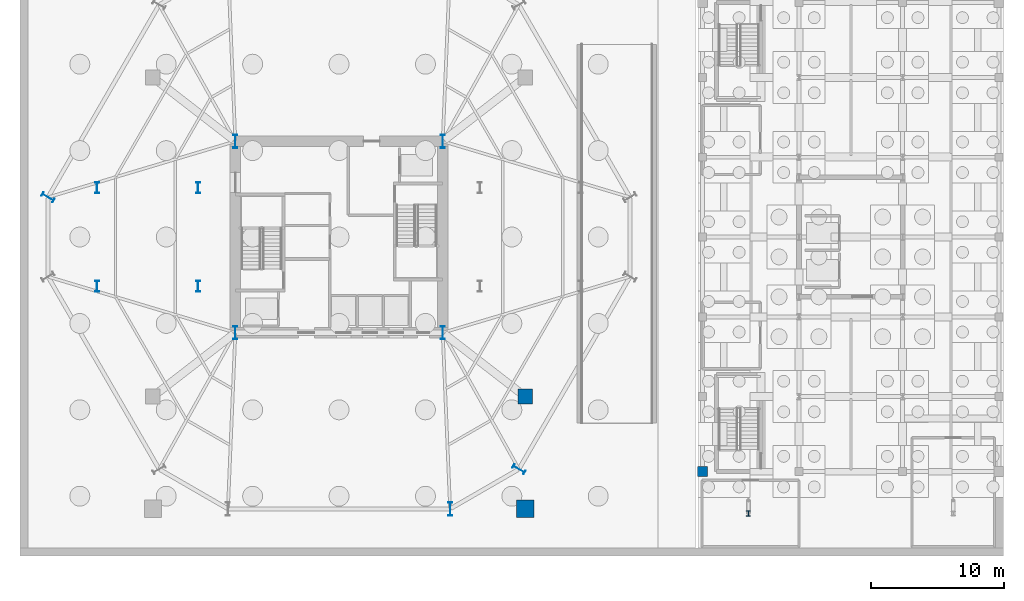
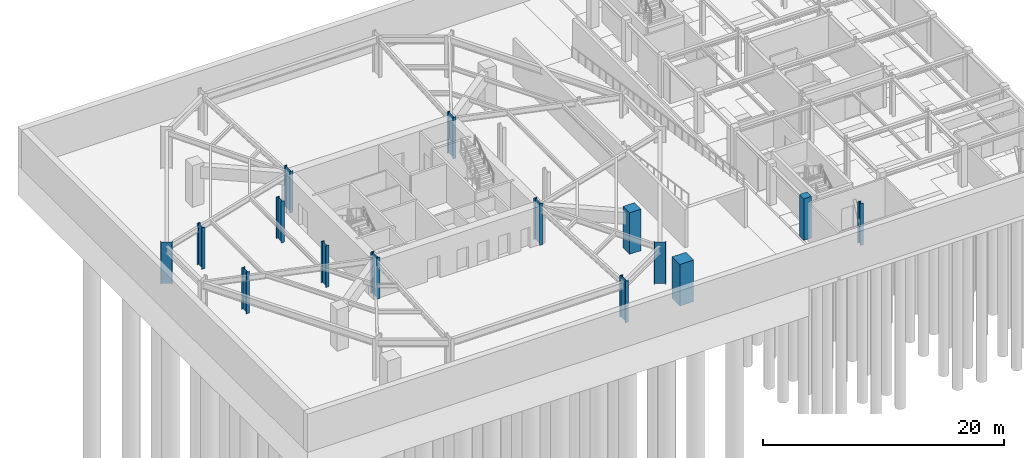
# One storey, part 4 of 18: 15 columns.
"""IFC4 building model written with IfcOpenShell, lengths in metres."""

import ifcopenshell
import ifcopenshell.guid

model = None  # the IFC model being written
_history = None  # IfcOwnerHistory: only IFC2X3 demands one
_inside = {}  # id of a spatial element -> (the spatial element, [elements in it])
_under = {}  # id of a project, library or spatial element -> (it, [spatial elements below it])
_declared = {}  # id of a project -> (the project, [libraries it declares])
_typed = {}  # id of a type object -> (the type object, [elements of that type])
_made_of = {}  # id of a material, layer set ... -> (it, [elements and type objects made of it])


def new_model(schema):
    """Start an empty IFC model of exactly this schema.

    Asked for "IFC4X3", IfcOpenShell would pick the latest addendum, in which some entities
    have other attributes; the version numbers below select the first issue.
    IFC2X3 requires an IfcOwnerHistory on every rooted entity: one is made here for all.
    """
    global model, _history
    if schema == "IFC4X3":
        model = ifcopenshell.file(schema_version=(4, 3, 0, 0))
    else:
        model = ifcopenshell.file(schema=schema)
    _inside.clear()
    _under.clear()
    _declared.clear()
    _typed.clear()
    _made_of.clear()
    _history = None
    if model.schema == "IFC2X3":
        org = make("IfcOrganization", Name="unknown")
        user = make(
            "IfcPersonAndOrganization",
            ThePerson=make("IfcPerson", FamilyName="unknown"),
            TheOrganization=org,
        )
        app = make(
            "IfcApplication",
            ApplicationDeveloper=org,
            Version="unknown",
            ApplicationFullName="unknown",
            ApplicationIdentifier="unknown",
        )
        _history = make(
            "IfcOwnerHistory",
            OwningUser=user,
            OwningApplication=app,
            ChangeAction="ADDED",
            CreationDate=0,
        )
    return model


def make(cls, **values):
    """One entity of the class cls with the attributes given. An attribute that is None is left unset."""
    return model.create_entity(
        cls, **{name: value for name, value in values.items() if value is not None}
    )


def rooted(cls, **values):
    """An entity with a GlobalId (a new one), such as an element, a storey or a relation."""
    return make(cls, GlobalId=ifcopenshell.guid.new(), OwnerHistory=_history, **values)


def si_unit(unit_type, name, prefix=None):
    """IfcSIUnit, for example si_unit("LENGTHUNIT", "METRE", prefix="MILLI")."""
    return make("IfcSIUnit", UnitType=unit_type, Prefix=prefix, Name=name)


def assignment(units):
    """IfcUnitAssignment: the units of a project."""
    return None if units is None else make("IfcUnitAssignment", Units=units)


def point(xyz):
    """IfcCartesianPoint."""
    return None if xyz is None else make("IfcCartesianPoint", Coordinates=xyz)


def direction(xyz):
    """IfcDirection."""
    return None if xyz is None else make("IfcDirection", DirectionRatios=xyz)


def frame(location, z_axis=None, x_axis=None):
    """IfcAxis2Placement3D, a coordinate frame: its origin and axes. An axis left out is left unset."""
    return make(
        "IfcAxis2Placement3D",
        Location=point(location),
        Axis=direction(z_axis),
        RefDirection=direction(x_axis),
    )


def frame_2d(location, x_axis=None):
    """IfcAxis2Placement2D, a coordinate frame in the plane: its origin and x axis."""
    return make(
        "IfcAxis2Placement2D", Location=point(location), RefDirection=direction(x_axis)
    )


def origin():
    """The frame at (0, 0, 0) with its axes left unset."""
    return frame((0.0, 0.0, 0.0))


def origin_2d():
    """The frame at (0, 0) in the plane with its x axis left unset."""
    return frame_2d((0.0, 0.0))


def place(relative_to, where):
    """IfcLocalPlacement: puts the frame where relative to a parent placement (None: the world)."""
    return make(
        "IfcLocalPlacement", PlacementRelTo=relative_to, RelativePlacement=where
    )


def context(
    kind, dimensions, precision=None, world=None, true_north=None, identifier=None
):
    """IfcGeometricRepresentationContext, for example the 3D "Model" context."""
    return make(
        "IfcGeometricRepresentationContext",
        ContextIdentifier=identifier,
        ContextType=kind,
        CoordinateSpaceDimension=dimensions,
        Precision=precision,
        WorldCoordinateSystem=world,
        TrueNorth=true_north,
    )


def subcontext(parent, identifier, kind, view, scale=None):
    """IfcGeometricRepresentationSubContext, for example "Body" below "Model"."""
    return make(
        "IfcGeometricRepresentationSubContext",
        ContextIdentifier=identifier,
        ContextType=kind,
        ParentContext=parent,
        TargetScale=scale,
        TargetView=view,
    )


def project(units=None, contexts=None):
    """IfcProject with its units and contexts."""
    return rooted(
        "IfcProject",
        Name="project",
        RepresentationContexts=contexts,
        UnitsInContext=assignment(units),
    )


def spatial(cls, under=None, at=None, **own):
    """A site, building, storey or space (cls), placed at a placement, below another one or the project."""
    s = rooted(cls, ObjectPlacement=at, **own)
    if under is not None:
        _under.setdefault(under.id(), (under, []))[1].append(s)
    return s


def profile(cls, at=None, kind="AREA", **sizes):
    """A parametric profile (cls). Its sizes go by their IFC names, for example OverallWidth=200.0."""
    return make(cls, ProfileType=kind, Position=at, **sizes)


def rectangle(**sizes):
    """IfcRectangleProfileDef."""
    return profile("IfcRectangleProfileDef", **sizes)


def i_section(**sizes):
    """IfcIShapeProfileDef."""
    return profile("IfcIShapeProfileDef", **sizes)


def extrude(swept, where, along, depth):
    """IfcExtrudedAreaSolid: the profile swept, set in the frame where, extruded along a direction by depth."""
    return make(
        "IfcExtrudedAreaSolid",
        SweptArea=swept,
        Position=where,
        ExtrudedDirection=direction(along),
        Depth=depth,
    )


def shape(context_of_items, identifier, shape_type, items):
    """IfcShapeRepresentation: the items that make up one representation, for example the "Body"."""
    return make(
        "IfcShapeRepresentation",
        ContextOfItems=context_of_items,
        RepresentationIdentifier=identifier,
        RepresentationType=shape_type,
        Items=items,
    )


def material(Name=None, Category=None):
    """IfcMaterial."""
    return make("IfcMaterial", Name=Name, Category=Category)


def material_profile(
    of_material, cross_section, Name=None, Category=None, Priority=None
):
    """IfcMaterialProfile: a cross section and its material."""
    return make(
        "IfcMaterialProfile",
        Name=Name,
        Material=of_material,
        Profile=cross_section,
        Priority=Priority,
        Category=Category,
    )


def profile_set(profiles, Name=None, composite=None):
    """IfcMaterialProfileSet."""
    return make(
        "IfcMaterialProfileSet",
        Name=Name,
        MaterialProfiles=profiles,
        CompositeProfile=composite,
    )


def made_of(thing, what):
    """Note that an element or type object is made of a material, layer set ...; save() writes the relation."""
    if what is not None:
        _made_of.setdefault(what.id(), (what, []))[1].append(thing)
    return thing


def type_object(cls, material=None, **own):
    """A type object (cls), such as IfcWallType, which elements share."""
    return made_of(rooted(cls, **own), material)


def element(
    cls,
    number,
    at=None,
    inside=None,
    cuts=None,
    type_object=None,
    material=None,
    context=None,
    identifier="Body",
    shape_type=None,
    held_by="IfcProductDefinitionShape",
    body=None,
    shapes=None,
    **own,
):
    """One element of the class cls, such as IfcWall. Its Tag is "e" and its number.

    at: its placement. inside: the storey or other place that contains it. cuts: it is an
    opening in that element (IfcRelVoidsElement). A single representation is given by context,
    identifier, shape_type and body (its items); several are given by shapes. held_by: the class
    of the entity that holds the representations. save() writes the other relations.
    """
    e = rooted(cls, Tag="e%d" % number, ObjectPlacement=at, **own)
    if body is not None:
        shapes = [shape(context, identifier, shape_type, body)]
    if shapes is not None:
        e.Representation = make(held_by, Representations=shapes)
    if inside is not None:
        _inside.setdefault(inside.id(), (inside, []))[1].append(e)
    if cuts is not None:
        rooted(
            "IfcRelVoidsElement", RelatingBuildingElement=cuts, RelatedOpeningElement=e
        )
    if type_object is not None:
        _typed.setdefault(type_object.id(), (type_object, []))[1].append(e)
    return made_of(e, material)


def aggregate(whole, parts):
    """IfcRelAggregates: a whole, such as a stair, and the parts it consists of."""
    return rooted("IfcRelAggregates", RelatingObject=whole, RelatedObjects=parts)


def save(model, path):
    """Write the relations noted so far, then the file.

    IfcRelAggregates (storeys below a building ...), IfcRelContainedInSpatialStructure (elements
    in a storey), IfcRelDefinesByType, IfcRelAssociatesMaterial and IfcRelDeclares: one each for
    every whole, place, type object, material and project.
    """
    for whole, parts in _under.values():
        aggregate(whole, parts)
    for where, things in _inside.values():
        rooted(
            "IfcRelContainedInSpatialStructure",
            RelatedElements=things,
            RelatingStructure=where,
        )
    for kind, things in _typed.values():
        rooted("IfcRelDefinesByType", RelatedObjects=things, RelatingType=kind)
    for what, things in _made_of.values():
        rooted("IfcRelAssociatesMaterial", RelatedObjects=things, RelatingMaterial=what)
    for by, libraries in _declared.values():
        rooted("IfcRelDeclares", RelatingContext=by, RelatedDefinitions=libraries)
    model.write(path)


model = new_model("IFC4")

# Units and contexts
model_context = context("Model", 3, precision=1e-05, world=origin(), true_north=direction((0.0, 1.0)))
body_context = subcontext(model_context, "Body", "Model", "MODEL_VIEW")
ifc_project = project(units=[si_unit("LENGTHUNIT", "METRE"), si_unit("AREAUNIT", "SQUARE_METRE"), si_unit("VOLUMEUNIT", "CUBIC_METRE"), si_unit("PLANEANGLEUNIT", "RADIAN"), si_unit("MASSUNIT", "GRAM", prefix="KILO")], contexts=[model_context])

# Site, building, storey
site_placement = place(None, origin())
site = spatial("IfcSite", under=ifc_project, at=site_placement, CompositionType="ELEMENT")
building_placement = place(site_placement, origin())
building = spatial("IfcBuilding", under=site, at=building_placement, Name="Kranzbogen Civic Tower", CompositionType="ELEMENT")
storey_placement = place(building_placement, frame((0.0, 0.0, -8.39990234375)))
storey = spatial("IfcBuildingStorey", under=building, at=storey_placement, Name="B02", CompositionType="ELEMENT", Elevation=-8.39990234375)

# Columns
ifc_material_1 = material(Name="Steel S460", Category="steel")
ifc_material_profile_1 = material_profile(ifc_material_1, i_section(OverallWidth=0.302001953125, OverallDepth=1.008056640625, WebThickness=0.02099609375, FlangeThickness=0.0400390625, at=origin_2d()), Name="HEM 1000")
ifc_profile_set_1 = profile_set([ifc_material_profile_1], Name="Steel S460")
column_type_1 = type_object("IfcColumnType", Name="Structural Column HEM 1000", PredefinedType="COLUMN", material=ifc_profile_set_1)
for number, where, z_axis, x_axis, name in (
    (1, (17.199951171875, 17.800048828125, 0.0), (0.0, 0.0, 1.0), (1.0, 0.0, 0.0), "B02 composite core corner column 1"),
    (2, (32.800048828125, 17.800048828125, 0.0), (0.0, 0.0, 1.0), (1.0, 0.0, 0.0), "B02 composite core corner column 2"),
    (3, (32.800048828125, 32.199951171875, 0.0), (0.0, 0.0, 1.0), (1.0, 0.0, 0.0), "B02 composite core corner column 3"),
    (4, (17.199951171875, 32.199951171875, 0.0), (0.0, 0.0, 1.0), (1.0, 0.0, 0.0), "B02 composite core corner column 4"),
    (5, (3.110107421875, 27.986083984375, 0.0), (0.0, 0.0, 1.0), (0.5, 0.866025403784, 0.0), "B02 tower perimeter tube column 06"),
    (6, (33.35888671875, 4.550048828125, 0.0), (0.0, 0.0, 1.0), (1.0, 0.0, 0.0), "B02 tower perimeter tube column 10"),
    (7, (38.531005859375, 7.535888671875, 0.0), (0.0, 0.0, 1.0), (0.5, 0.866025403784, 0.0), "B02 tower perimeter tube column 11"),
):
    element("IfcColumn", number, at=place(storey_placement, frame(where, z_axis=z_axis, x_axis=x_axis)), inside=storey, type_object=column_type_1, Name=name, PredefinedType="COLUMN", context=body_context, shape_type="SweptSolid", body=[
        extrude(i_section(OverallWidth=0.302001953125, OverallDepth=1.008056640625, WebThickness=0.02099609375, FlangeThickness=0.0400390625, at=origin_2d()), origin(), (0.0, 0.0, 1.0), 4.199951171875),
    ])
ifc_material_2 = material(Name="Steel S355", Category="steel")
ifc_material_profile_2 = material_profile(ifc_material_2, i_section(OverallWidth=0.306884765625, OverallDepth=0.431884765625, WebThickness=0.02099609375, FlangeThickness=0.0400390625, at=origin_2d()), Name="HEM 400")
ifc_profile_set_2 = profile_set([ifc_material_profile_2], Name="Steel S355")
column_type_2 = type_object("IfcColumnType", Name="Structural Column HEM 400", PredefinedType="COLUMN", material=ifc_profile_set_2)
column_1_placement = place(storey_placement, frame((55.800048828125, 4.199951171875, 0.0), z_axis=(0.0, 0.0, 1.0), x_axis=(1.0, 0.0, 0.0)))
element("IfcColumn", 8, at=column_1_placement, inside=storey, type_object=column_type_2, Name="B02 plant frame column 1", PredefinedType="COLUMN", context=body_context, shape_type="SweptSolid", body=[
    extrude(i_section(OverallWidth=0.306884765625, OverallDepth=0.431884765625, WebThickness=0.02099609375, FlangeThickness=0.0400390625, at=origin_2d()), origin(), (0.0, 0.0, 1.0), 4.199951171875),
])
ifc_material_profile_3 = material_profile(ifc_material_1, i_section(OverallWidth=0.302978515625, OverallDepth=0.81396484375, WebThickness=0.02099609375, FlangeThickness=0.0400390625, at=origin_2d()), Name="HEM 800")
ifc_profile_set_3 = profile_set([ifc_material_profile_3], Name="Steel S460")
column_type_3 = type_object("IfcColumnType", Name="Structural Column HEM 800", PredefinedType="COLUMN", material=ifc_profile_set_3)
for number, where, z_axis, x_axis, name in (
    (9, (14.39990234375, 21.300048828125, 0.0), (0.0, 0.0, 1.0), (1.0, 0.0, 0.0), "B02 STP1 inner support column 1"),
    (10, (6.800048828125, 21.300048828125, 0.0), (0.0, 0.0, 1.0), (1.0, 0.0, 0.0), "B02 STP1 outer support column 1"),
    (11, (14.39990234375, 28.699951171875, 0.0), (0.0, 0.0, 1.0), (1.0, 0.0, 0.0), "B02 STP1 inner support column 2"),
    (12, (6.800048828125, 28.699951171875, 0.0), (0.0, 0.0, 1.0), (1.0, 0.0, 0.0), "B02 STP1 outer support column 2"),
):
    element("IfcColumn", number, at=place(storey_placement, frame(where, z_axis=z_axis, x_axis=x_axis)), inside=storey, type_object=column_type_3, Name=name, PredefinedType="COLUMN", context=body_context, shape_type="SweptSolid", body=[
        extrude(i_section(OverallWidth=0.302978515625, OverallDepth=0.81396484375, WebThickness=0.02099609375, FlangeThickness=0.0400390625, at=origin_2d()), origin(), (0.0, 0.0, 1.0), 4.199951171875),
    ])
ifc_material_3 = material(Name="Concrete C55/67", Category="concrete")
ifc_material_profile_4 = material_profile(ifc_material_3, rectangle(XDim=1.10009765625, YDim=1.10009765625, at=origin_2d()), Name="RC 1100x1100")
ifc_profile_set_4 = profile_set([ifc_material_profile_4], Name="Concrete C55/67")
column_type_4 = type_object("IfcColumnType", Name="Structural Column RC 1100x1100", PredefinedType="COLUMN", material=ifc_profile_set_4)
column_2_placement = place(storey_placement, frame((39.0, 13.0, 0.0), z_axis=(0.0, 0.0, 1.0), x_axis=(1.0, 0.0, 0.0)))
element("IfcColumn", 13, at=column_2_placement, inside=storey, type_object=column_type_4, Name="B02 basement auxiliary column 2", PredefinedType="COLUMN", context=body_context, shape_type="SweptSolid", body=[
    extrude(rectangle(XDim=1.10009765625, YDim=1.10009765625, at=origin_2d()), origin(), (0.0, 0.0, 1.0), 4.199951171875),
])
ifc_material_profile_5 = material_profile(ifc_material_3, rectangle(XDim=1.300048828125, YDim=1.300048828125, at=origin_2d()), Name="RC 1300x1300")
ifc_profile_set_5 = profile_set([ifc_material_profile_5], Name="Concrete C55/67")
column_type_5 = type_object("IfcColumnType", Name="Structural Column RC 1300x1300", PredefinedType="COLUMN", material=ifc_profile_set_5)
column_3_placement = place(storey_placement, frame((39.0, 4.550048828125, 0.0), z_axis=(0.0, 0.0, 1.0), x_axis=(1.0, 0.0, 0.0)))
element("IfcColumn", 14, at=column_3_placement, inside=storey, type_object=column_type_5, Name="B02 portal arch corner pier 2", PredefinedType="COLUMN", context=body_context, shape_type="SweptSolid", body=[
    extrude(rectangle(XDim=1.300048828125, YDim=1.300048828125, at=origin_2d()), origin(), (0.0, 0.0, 1.0), 4.199951171875),
])
ifc_material_4 = material(Name="Concrete C40/50", Category="concrete")
ifc_material_profile_6 = material_profile(ifc_material_4, rectangle(XDim=0.75, YDim=0.75, at=origin_2d()), Name="RC 750x750")
ifc_profile_set_6 = profile_set([ifc_material_profile_6], Name="Concrete C40/50")
column_type_6 = type_object("IfcColumnType", Name="Structural Column RC 750x750", PredefinedType="COLUMN", material=ifc_profile_set_6)
column_4_placement = place(storey_placement, frame((52.35009765625, 7.35009765625, 0.0), z_axis=(0.0, 0.0, 1.0), x_axis=(1.0, 0.0, 0.0)))
element("IfcColumn", 15, at=column_4_placement, inside=storey, type_object=column_type_6, Name="B02 Health Centre column 10/B", PredefinedType="COLUMN", context=body_context, shape_type="SweptSolid", body=[
    extrude(rectangle(XDim=0.75, YDim=0.75, at=origin_2d()), origin(), (0.0, 0.0, 1.0), 4.199951171875),
])

save(model, "model.ifc")
